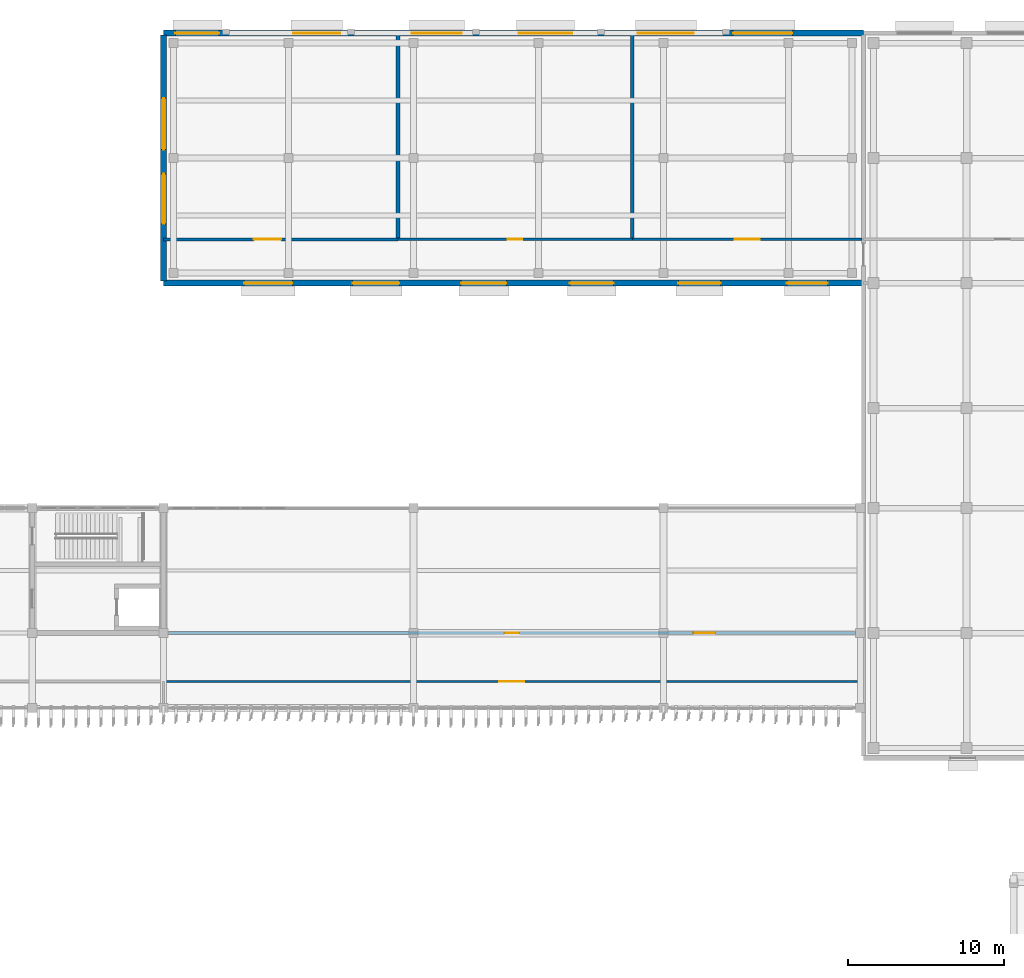
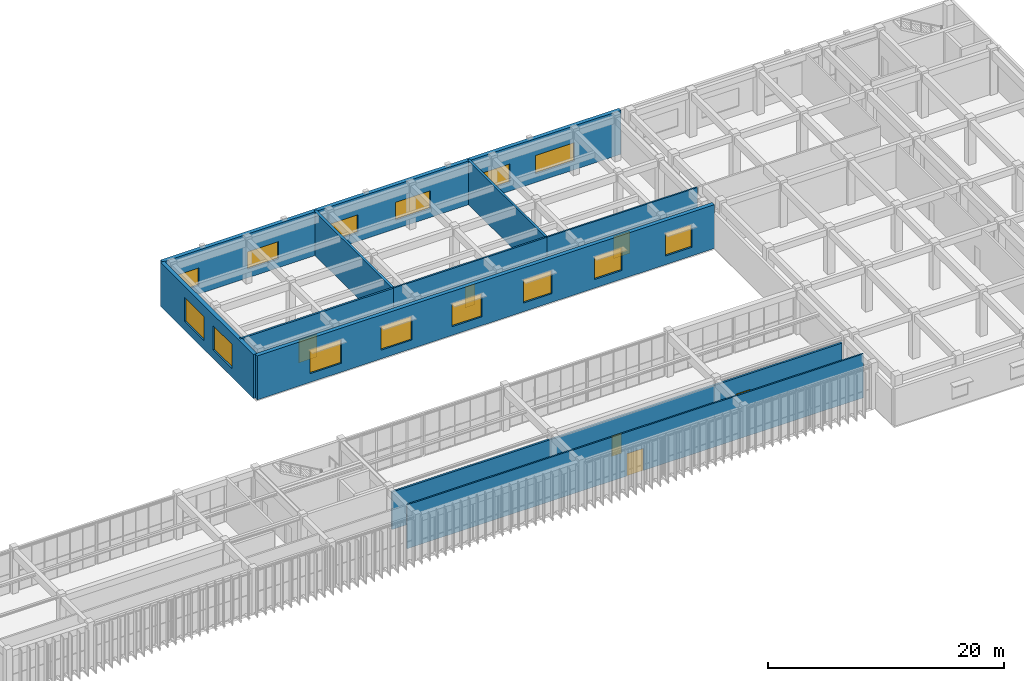
# One storey, part 42 of 64: 14 windows, 10 walls, 6 doors, 20 openings.
"""IFC4 building model written with IfcOpenShell, lengths in metres."""

from ifc_helpers import new_model, si_unit, direction, frame, frame_2d, origin, place, context, subcontext, project, spatial, rectangle, extrude, material, layer, layer_set, type_object, element, fill, save


model = new_model("IFC4")

# Units and contexts
model_context = context("Model", 3, precision=1e-05, world=origin(), true_north=direction((0.0, 1.0)))
body_context = subcontext(model_context, "Body", "Model", "MODEL_VIEW")
ifc_project = project(units=[si_unit("LENGTHUNIT", "METRE"), si_unit("AREAUNIT", "SQUARE_METRE"), si_unit("VOLUMEUNIT", "CUBIC_METRE"), si_unit("PLANEANGLEUNIT", "RADIAN"), si_unit("MASSUNIT", "GRAM", prefix="KILO")], contexts=[model_context])

# Site, building, storey
site_placement = place(None, origin())
site = spatial("IfcSite", under=ifc_project, at=site_placement, CompositionType="ELEMENT")
building_placement = place(site_placement, origin())
building = spatial("IfcBuilding", under=site, at=building_placement, Name="Cinchona Park Media Centre", CompositionType="ELEMENT")
storey_placement = place(building_placement, frame((0.0, 0.0, 5.39990234375)))
storey = spatial("IfcBuildingStorey", under=building, at=storey_placement, Name="L01", CompositionType="ELEMENT", Elevation=5.39990234375)

# Walls
ifc_material_1 = material(Name="Acoustic Double-Stud Gypsum Partition", Category="gypsum")
ifc_layer_1 = layer(ifc_material_1, 0.2099609375)
ifc_layer_set_1 = layer_set([ifc_layer_1], Name="Acoustic Double-Stud Gypsum Partition")
wall_type_1 = type_object("IfcWallType", Name="WALL-W-AC210", PredefinedType="PARTITIONING", material=ifc_layer_set_1)
wall_1_placement = place(storey_placement, frame((124.800048828125, 118.0, 0.0), z_axis=(0.0, 0.0, 1.0), x_axis=(0.0, -1.0, 0.0)))
element("IfcWall", 1, at=wall_1_placement, inside=storey, type_object=wall_type_1, Name="Interior Wall W-AC210 L01", PredefinedType="PARTITIONING", context=body_context, shape_type="SweptSolid", body=[
    extrude(rectangle(XDim=13.199951171875, YDim=0.2099609375, at=frame_2d((6.60009765625, 0.0))), origin(), (0.0, 0.0, 1.0), 4.5400390625),
])
ifc_material_2 = material(Name="Acoustic Double-Stud Gypsum Partition", Category="gypsum")
ifc_layer_2 = layer(ifc_material_2, 0.239990234375)
ifc_layer_set_2 = layer_set([ifc_layer_2], Name="Acoustic Double-Stud Gypsum Partition")
wall_type_2 = type_object("IfcWallType", Name="WALL-W-AC240", PredefinedType="PARTITIONING", material=ifc_layer_set_2)
wall_2_placement = place(storey_placement, frame((109.800048828125, 118.0, 0.0), z_axis=(0.0, 0.0, 1.0), x_axis=(0.0, -1.0, 0.0)))
element("IfcWall", 2, at=wall_2_placement, inside=storey, type_object=wall_type_2, Name="Interior Wall W-AC240 L01", PredefinedType="PARTITIONING", context=body_context, shape_type="SweptSolid", body=[
    extrude(rectangle(XDim=13.199951171875, YDim=0.239990234375, at=frame_2d((6.60009765625, 0.0))), origin(), (0.0, 0.0, 1.0), 4.5400390625),
])

# Wall, openings, windows
ifc_material_3 = material(Name="Precast concrete C40/50", Category="concrete")
ifc_layer_3 = layer(ifc_material_3, 0.3798828125)
ifc_layer_set_3 = layer_set([ifc_layer_3], Name="Precast concrete C40/50")
wall_type_3 = type_object("IfcWallType", Name="WALL-W-EX01", PredefinedType="SOLIDWALL", material=ifc_layer_set_3)
wall_3_placement = place(storey_placement, frame((94.800048828125, 118.0, 0.0), z_axis=(0.0, 0.0, 1.0), x_axis=(1.0, 0.0, 0.0)))
wall_3 = element("IfcWall", 3, at=wall_3_placement, inside=storey, type_object=wall_type_3, Name="Exterior Wall W-EX01 V3 L01", PredefinedType="SOLIDWALL", context=body_context, shape_type="SweptSolid", body=[
    extrude(rectangle(XDim=44.794921875, YDim=0.3798828125, at=frame_2d((22.3974609375, 0.0))), origin(), (0.0, 0.0, 1.0), 4.5400390625),
])
opening_1_placement = place(wall_3_placement, frame((0.75, 0.0, 0.89990234375)))
opening_1 = element("IfcOpeningElement", 4, at=opening_1_placement, cuts=wall_3, Name="Opening WN31", PredefinedType="OPENING", context=body_context, shape_type="SweptSolid", body=[
    extrude(rectangle(XDim=2.800048828125, YDim=1.800048828125, at=frame_2d((1.39990234375, 0.89990234375))), frame((0.0, 0.199951171875, 0.0), z_axis=(0.0, -1.0, 0.0), x_axis=(1.0, 0.0, 0.0)), (0.0, 0.0, 1.0), 0.39990234375),
])
opening_2_placement = place(wall_3_placement, frame((8.300048828125, 0.0, 0.89990234375)))
opening_2 = element("IfcOpeningElement", 5, at=opening_2_placement, cuts=wall_3, Name="Opening WN32", PredefinedType="OPENING", context=body_context, shape_type="SweptSolid", body=[
    extrude(rectangle(XDim=3.0, YDim=1.800048828125, at=frame_2d((1.5, 0.89990234375))), frame((0.0, 0.199951171875, 0.0), z_axis=(0.0, -1.0, 0.0), x_axis=(1.0, 0.0, 0.0)), (0.0, 0.0, 1.0), 0.39990234375),
])
opening_3_placement = place(wall_3_placement, frame((15.89990234375, 0.0, 0.89990234375)))
opening_3 = element("IfcOpeningElement", 6, at=opening_3_placement, cuts=wall_3, Name="Opening WN33", PredefinedType="OPENING", context=body_context, shape_type="SweptSolid", body=[
    extrude(rectangle(XDim=3.199951171875, YDim=1.85009765625, at=frame_2d((1.60009765625, 0.925048828125))), frame((0.0, 0.199951171875, 0.0), z_axis=(0.0, -1.0, 0.0), x_axis=(1.0, 0.0, 0.0)), (0.0, 0.0, 1.0), 0.39990234375),
])
opening_4_placement = place(wall_3_placement, frame((22.75, 0.0, 0.89990234375)))
opening_4 = element("IfcOpeningElement", 7, at=opening_4_placement, cuts=wall_3, Name="Opening WN34", PredefinedType="OPENING", context=body_context, shape_type="SweptSolid", body=[
    extrude(rectangle(XDim=3.39990234375, YDim=1.85009765625, at=frame_2d((1.699951171875, 0.925048828125))), frame((0.0, 0.199951171875, 0.0), z_axis=(0.0, -1.0, 0.0), x_axis=(1.0, 0.0, 0.0)), (0.0, 0.0, 1.0), 0.39990234375),
])
opening_5_placement = place(wall_3_placement, frame((30.35009765625, 0.0, 0.89990234375)))
opening_5 = element("IfcOpeningElement", 8, at=opening_5_placement, cuts=wall_3, Name="Opening WN35", PredefinedType="OPENING", context=body_context, shape_type="SweptSolid", body=[
    extrude(rectangle(XDim=3.60009765625, YDim=1.89990234375, at=frame_2d((1.800048828125, 0.949951171875))), frame((0.0, 0.199951171875, 0.0), z_axis=(0.0, -1.0, 0.0), x_axis=(1.0, 0.0, 0.0)), (0.0, 0.0, 1.0), 0.39990234375),
])
opening_6_placement = place(wall_3_placement, frame((36.449951171875, 0.0, 0.89990234375)))
opening_6 = element("IfcOpeningElement", 9, at=opening_6_placement, cuts=wall_3, Name="Opening WN36", PredefinedType="OPENING", context=body_context, shape_type="SweptSolid", body=[
    extrude(rectangle(XDim=3.800048828125, YDim=1.89990234375, at=frame_2d((1.89990234375, 0.949951171875))), frame((0.0, 0.199951171875, 0.0), z_axis=(0.0, -1.0, 0.0), x_axis=(1.0, 0.0, 0.0)), (0.0, 0.0, 1.0), 0.39990234375),
])
ifc_material_4 = material(Name="Thermally Broken Aluminium Solar-Control Window", Category="aluminium")
window_type_1 = type_object("IfcWindowType", Name="WIN-WN31", PartitioningType="SINGLE_PANEL", PredefinedType="WINDOW", material=ifc_material_4)
window_1_placement = place(opening_1_placement, origin())
window_1 = element("IfcWindow", 10, at=window_1_placement, inside=storey, type_object=window_type_1, Name="Window WN31 L01", OverallHeight=1.800048828125, OverallWidth=2.800048828125, PartitioningType="SINGLE_PANEL", PredefinedType="WINDOW", context=body_context, shape_type="SweptSolid", body=[
    extrude(rectangle(XDim=2.800048828125, YDim=1.800048828125, at=frame_2d((1.39990234375, 0.89990234375))), frame((0.0, 0.030029296875, 0.0), z_axis=(0.0, -1.0, 0.0), x_axis=(1.0, 0.0, 0.0)), (0.0, 0.0, 1.0), 0.06005859375),
])
fill(opening_1, window_1)
ifc_material_5 = material(Name="Thermally Broken Aluminium Solar-Control Window", Category="aluminium")
window_type_2 = type_object("IfcWindowType", Name="WIN-WN32", PartitioningType="SINGLE_PANEL", PredefinedType="WINDOW", material=ifc_material_5)
window_2_placement = place(opening_2_placement, origin())
window_2 = element("IfcWindow", 11, at=window_2_placement, inside=storey, type_object=window_type_2, Name="Window WN32 L01", OverallHeight=1.800048828125, OverallWidth=3.0, PartitioningType="SINGLE_PANEL", PredefinedType="WINDOW", context=body_context, shape_type="SweptSolid", body=[
    extrude(rectangle(XDim=3.0, YDim=1.800048828125, at=frame_2d((1.5, 0.89990234375))), frame((0.0, 0.030029296875, 0.0), z_axis=(0.0, -1.0, 0.0), x_axis=(1.0, 0.0, 0.0)), (0.0, 0.0, 1.0), 0.06005859375),
])
fill(opening_2, window_2)
ifc_material_6 = material(Name="Thermally Broken Aluminium Solar-Control Window", Category="aluminium")
window_type_3 = type_object("IfcWindowType", Name="WIN-WN33", PartitioningType="SINGLE_PANEL", PredefinedType="WINDOW", material=ifc_material_6)
window_3_placement = place(opening_3_placement, origin())
window_3 = element("IfcWindow", 12, at=window_3_placement, inside=storey, type_object=window_type_3, Name="Window WN33 L01", OverallHeight=1.85009765625, OverallWidth=3.199951171875, PartitioningType="SINGLE_PANEL", PredefinedType="WINDOW", context=body_context, shape_type="SweptSolid", body=[
    extrude(rectangle(XDim=3.199951171875, YDim=1.85009765625, at=frame_2d((1.60009765625, 0.925048828125))), frame((0.0, 0.030029296875, 0.0), z_axis=(0.0, -1.0, 0.0), x_axis=(1.0, 0.0, 0.0)), (0.0, 0.0, 1.0), 0.06005859375),
])
fill(opening_3, window_3)
ifc_material_7 = material(Name="Thermally Broken Aluminium Solar-Control Window", Category="aluminium")
window_type_4 = type_object("IfcWindowType", Name="WIN-WN34", PartitioningType="SINGLE_PANEL", PredefinedType="WINDOW", material=ifc_material_7)
window_4_placement = place(opening_4_placement, origin())
window_4 = element("IfcWindow", 13, at=window_4_placement, inside=storey, type_object=window_type_4, Name="Window WN34 L01", OverallHeight=1.85009765625, OverallWidth=3.39990234375, PartitioningType="SINGLE_PANEL", PredefinedType="WINDOW", context=body_context, shape_type="SweptSolid", body=[
    extrude(rectangle(XDim=3.39990234375, YDim=1.85009765625, at=frame_2d((1.699951171875, 0.925048828125))), frame((0.0, 0.030029296875, 0.0), z_axis=(0.0, -1.0, 0.0), x_axis=(1.0, 0.0, 0.0)), (0.0, 0.0, 1.0), 0.06005859375),
])
fill(opening_4, window_4)
ifc_material_8 = material(Name="Thermally Broken Aluminium Solar-Control Window", Category="aluminium")
window_type_5 = type_object("IfcWindowType", Name="WIN-WN35", PartitioningType="SINGLE_PANEL", PredefinedType="WINDOW", material=ifc_material_8)
window_5_placement = place(opening_5_placement, origin())
window_5 = element("IfcWindow", 14, at=window_5_placement, inside=storey, type_object=window_type_5, Name="Window WN35 L01", OverallHeight=1.89990234375, OverallWidth=3.60009765625, PartitioningType="SINGLE_PANEL", PredefinedType="WINDOW", context=body_context, shape_type="SweptSolid", body=[
    extrude(rectangle(XDim=3.60009765625, YDim=1.89990234375, at=frame_2d((1.800048828125, 0.949951171875))), frame((0.0, 0.030029296875, 0.0), z_axis=(0.0, -1.0, 0.0), x_axis=(1.0, 0.0, 0.0)), (0.0, 0.0, 1.0), 0.06005859375),
])
fill(opening_5, window_5)
ifc_material_9 = material(Name="Thermally Broken Aluminium Solar-Control Window", Category="aluminium")
window_type_6 = type_object("IfcWindowType", Name="WIN-WN36", PartitioningType="SINGLE_PANEL", PredefinedType="WINDOW", material=ifc_material_9)
window_6_placement = place(opening_6_placement, origin())
window_6 = element("IfcWindow", 15, at=window_6_placement, inside=storey, type_object=window_type_6, Name="Window WN36 L01", OverallHeight=1.89990234375, OverallWidth=3.800048828125, PartitioningType="SINGLE_PANEL", PredefinedType="WINDOW", context=body_context, shape_type="SweptSolid", body=[
    extrude(rectangle(XDim=3.800048828125, YDim=1.89990234375, at=frame_2d((1.89990234375, 0.949951171875))), frame((0.0, 0.030029296875, 0.0), z_axis=(0.0, -1.0, 0.0), x_axis=(1.0, 0.0, 0.0)), (0.0, 0.0, 1.0), 0.06005859375),
])
fill(opening_6, window_6)

wall_4_placement = place(storey_placement, frame((139.5, 102.0, 0.0), z_axis=(0.0, 0.0, 1.0), x_axis=(-1.0, 0.0, 0.0)))
wall_4 = element("IfcWall", 16, at=wall_4_placement, inside=storey, type_object=wall_type_3, Name="Exterior Wall W-EX01 V3 L01", PredefinedType="SOLIDWALL", context=body_context, shape_type="SweptSolid", body=[
    extrude(rectangle(XDim=44.699951171875, YDim=0.3798828125, at=frame_2d((22.35009765625, 0.0))), origin(), (0.0, 0.0, 1.0), 4.5400390625),
])
opening_7_placement = place(wall_4_placement, frame((2.199951171875, 0.0, 0.89990234375)))
opening_7 = element("IfcOpeningElement", 17, at=opening_7_placement, cuts=wall_4, Name="Opening WN13", PredefinedType="OPENING", context=body_context, shape_type="SweptSolid", body=[
    extrude(rectangle(XDim=2.60009765625, YDim=2.35009765625, at=frame_2d((1.300048828125, 1.175048828125))), frame((0.0, 0.199951171875, 0.0), z_axis=(0.0, -1.0, 0.0), x_axis=(1.0, 0.0, 0.0)), (0.0, 0.0, 1.0), 0.39990234375),
])
opening_8_placement = place(wall_4_placement, frame((9.050048828125, 0.0, 0.89990234375)))
opening_8 = element("IfcOpeningElement", 18, at=opening_8_placement, cuts=wall_4, Name="Opening WN14", PredefinedType="OPENING", context=body_context, shape_type="SweptSolid", body=[
    extrude(rectangle(XDim=2.699951171875, YDim=2.35009765625, at=frame_2d((1.35009765625, 1.175048828125))), frame((0.0, 0.199951171875, 0.0), z_axis=(0.0, -1.0, 0.0), x_axis=(1.0, 0.0, 0.0)), (0.0, 0.0, 1.0), 0.39990234375),
])
opening_9_placement = place(wall_4_placement, frame((15.89990234375, 0.0, 0.89990234375)))
opening_9 = element("IfcOpeningElement", 19, at=opening_9_placement, cuts=wall_4, Name="Opening WN15", PredefinedType="OPENING", context=body_context, shape_type="SweptSolid", body=[
    extrude(rectangle(XDim=2.800048828125, YDim=2.39990234375, at=frame_2d((1.39990234375, 1.199951171875))), frame((0.0, 0.199951171875, 0.0), z_axis=(0.0, -1.0, 0.0), x_axis=(1.0, 0.0, 0.0)), (0.0, 0.0, 1.0), 0.39990234375),
])
opening_10_placement = place(wall_4_placement, frame((22.75, 0.0, 0.89990234375)))
opening_10 = element("IfcOpeningElement", 20, at=opening_10_placement, cuts=wall_4, Name="Opening WN16", PredefinedType="OPENING", context=body_context, shape_type="SweptSolid", body=[
    extrude(rectangle(XDim=2.89990234375, YDim=2.39990234375, at=frame_2d((1.449951171875, 1.199951171875))), frame((0.0, 0.199951171875, 0.0), z_axis=(0.0, -1.0, 0.0), x_axis=(1.0, 0.0, 0.0)), (0.0, 0.0, 1.0), 0.39990234375),
])
opening_11_placement = place(wall_4_placement, frame((29.60009765625, 0.0, 0.89990234375)))
opening_11 = element("IfcOpeningElement", 21, at=opening_11_placement, cuts=wall_4, Name="Opening WN17", PredefinedType="OPENING", context=body_context, shape_type="SweptSolid", body=[
    extrude(rectangle(XDim=3.0, YDim=2.449951171875, at=frame_2d((1.5, 1.22509765625))), frame((0.0, 0.199951171875, 0.0), z_axis=(0.0, -1.0, 0.0), x_axis=(1.0, 0.0, 0.0)), (0.0, 0.0, 1.0), 0.39990234375),
])
opening_12_placement = place(wall_4_placement, frame((36.449951171875, 0.0, 0.89990234375)))
opening_12 = element("IfcOpeningElement", 22, at=opening_12_placement, cuts=wall_4, Name="Opening WN18", PredefinedType="OPENING", context=body_context, shape_type="SweptSolid", body=[
    extrude(rectangle(XDim=3.10009765625, YDim=2.449951171875, at=frame_2d((1.550048828125, 1.22509765625))), frame((0.0, 0.199951171875, 0.0), z_axis=(0.0, -1.0, 0.0), x_axis=(1.0, 0.0, 0.0)), (0.0, 0.0, 1.0), 0.39990234375),
])
ifc_material_10 = material(Name="Thermally Broken Aluminium Solar-Control Window", Category="aluminium")
window_type_7 = type_object("IfcWindowType", Name="WIN-WN13", PartitioningType="SINGLE_PANEL", PredefinedType="WINDOW", material=ifc_material_10)
window_7_placement = place(opening_7_placement, origin())
window_7 = element("IfcWindow", 23, at=window_7_placement, inside=storey, type_object=window_type_7, Name="Window WN13 L01", OverallHeight=2.35009765625, OverallWidth=2.60009765625, PartitioningType="SINGLE_PANEL", PredefinedType="WINDOW", context=body_context, shape_type="SweptSolid", body=[
    extrude(rectangle(XDim=2.60009765625, YDim=2.35009765625, at=frame_2d((1.300048828125, 1.175048828125))), frame((0.0, 0.030029296875, 0.0), z_axis=(0.0, -1.0, 0.0), x_axis=(1.0, 0.0, 0.0)), (0.0, 0.0, 1.0), 0.06005859375),
])
fill(opening_7, window_7)
ifc_material_11 = material(Name="Thermally Broken Aluminium Solar-Control Window", Category="aluminium")
window_type_8 = type_object("IfcWindowType", Name="WIN-WN14", PartitioningType="SINGLE_PANEL", PredefinedType="WINDOW", material=ifc_material_11)
window_8_placement = place(opening_8_placement, origin())
window_8 = element("IfcWindow", 24, at=window_8_placement, inside=storey, type_object=window_type_8, Name="Window WN14 L01", OverallHeight=2.35009765625, OverallWidth=2.699951171875, PartitioningType="SINGLE_PANEL", PredefinedType="WINDOW", context=body_context, shape_type="SweptSolid", body=[
    extrude(rectangle(XDim=2.699951171875, YDim=2.35009765625, at=frame_2d((1.35009765625, 1.175048828125))), frame((0.0, 0.030029296875, 0.0), z_axis=(0.0, -1.0, 0.0), x_axis=(1.0, 0.0, 0.0)), (0.0, 0.0, 1.0), 0.06005859375),
])
fill(opening_8, window_8)
ifc_material_12 = material(Name="Thermally Broken Aluminium Solar-Control Window", Category="aluminium")
window_type_9 = type_object("IfcWindowType", Name="WIN-WN15", PartitioningType="SINGLE_PANEL", PredefinedType="WINDOW", material=ifc_material_12)
window_9_placement = place(opening_9_placement, origin())
window_9 = element("IfcWindow", 25, at=window_9_placement, inside=storey, type_object=window_type_9, Name="Window WN15 L01", OverallHeight=2.39990234375, OverallWidth=2.800048828125, PartitioningType="SINGLE_PANEL", PredefinedType="WINDOW", context=body_context, shape_type="SweptSolid", body=[
    extrude(rectangle(XDim=2.800048828125, YDim=2.39990234375, at=frame_2d((1.39990234375, 1.199951171875))), frame((0.0, 0.030029296875, 0.0), z_axis=(0.0, -1.0, 0.0), x_axis=(1.0, 0.0, 0.0)), (0.0, 0.0, 1.0), 0.06005859375),
])
fill(opening_9, window_9)
ifc_material_13 = material(Name="Thermally Broken Aluminium Solar-Control Window", Category="aluminium")
window_type_10 = type_object("IfcWindowType", Name="WIN-WN16", PartitioningType="SINGLE_PANEL", PredefinedType="WINDOW", material=ifc_material_13)
window_10_placement = place(opening_10_placement, origin())
window_10 = element("IfcWindow", 26, at=window_10_placement, inside=storey, type_object=window_type_10, Name="Window WN16 L01", OverallHeight=2.39990234375, OverallWidth=2.89990234375, PartitioningType="SINGLE_PANEL", PredefinedType="WINDOW", context=body_context, shape_type="SweptSolid", body=[
    extrude(rectangle(XDim=2.89990234375, YDim=2.39990234375, at=frame_2d((1.449951171875, 1.199951171875))), frame((0.0, 0.030029296875, 0.0), z_axis=(0.0, -1.0, 0.0), x_axis=(1.0, 0.0, 0.0)), (0.0, 0.0, 1.0), 0.06005859375),
])
fill(opening_10, window_10)
ifc_material_14 = material(Name="Thermally Broken Aluminium Solar-Control Window", Category="aluminium")
window_type_11 = type_object("IfcWindowType", Name="WIN-WN17", PartitioningType="SINGLE_PANEL", PredefinedType="WINDOW", material=ifc_material_14)
window_11_placement = place(opening_11_placement, origin())
window_11 = element("IfcWindow", 27, at=window_11_placement, inside=storey, type_object=window_type_11, Name="Window WN17 L01", OverallHeight=2.449951171875, OverallWidth=3.0, PartitioningType="SINGLE_PANEL", PredefinedType="WINDOW", context=body_context, shape_type="SweptSolid", body=[
    extrude(rectangle(XDim=3.0, YDim=2.449951171875, at=frame_2d((1.5, 1.22509765625))), frame((0.0, 0.030029296875, 0.0), z_axis=(0.0, -1.0, 0.0), x_axis=(1.0, 0.0, 0.0)), (0.0, 0.0, 1.0), 0.06005859375),
])
fill(opening_11, window_11)
ifc_material_15 = material(Name="Thermally Broken Aluminium Solar-Control Window", Category="aluminium")
window_type_12 = type_object("IfcWindowType", Name="WIN-WN18", PartitioningType="SINGLE_PANEL", PredefinedType="WINDOW", material=ifc_material_15)
window_12_placement = place(opening_12_placement, origin())
window_12 = element("IfcWindow", 28, at=window_12_placement, inside=storey, type_object=window_type_12, Name="Window WN18 L01", OverallHeight=2.449951171875, OverallWidth=3.10009765625, PartitioningType="SINGLE_PANEL", PredefinedType="WINDOW", context=body_context, shape_type="SweptSolid", body=[
    extrude(rectangle(XDim=3.10009765625, YDim=2.449951171875, at=frame_2d((1.550048828125, 1.22509765625))), frame((0.0, 0.030029296875, 0.0), z_axis=(0.0, -1.0, 0.0), x_axis=(1.0, 0.0, 0.0)), (0.0, 0.0, 1.0), 0.06005859375),
])
fill(opening_12, window_12)

wall_5_placement = place(storey_placement, frame((94.800048828125, 102.139892578125, 0.0), z_axis=(0.0, 0.0, 1.0), x_axis=(0.0, 1.0, 0.0)))
wall_5 = element("IfcWall", 29, at=wall_5_placement, inside=storey, type_object=wall_type_3, Name="Exterior Wall W-EX01 V3 L01", PredefinedType="SOLIDWALL", context=body_context, shape_type="SweptSolid", body=[
    extrude(rectangle(XDim=15.72021484375, YDim=0.3798828125, at=frame_2d((7.860107421875, 0.0))), origin(), (0.0, 0.0, 1.0), 4.5400390625),
])
opening_13_placement = place(wall_5_placement, frame((3.64990234375, 0.0, 0.89990234375)))
opening_13 = element("IfcOpeningElement", 30, at=opening_13_placement, cuts=wall_5, Name="Opening WN19", PredefinedType="OPENING", context=body_context, shape_type="SweptSolid", body=[
    extrude(rectangle(XDim=3.199951171875, YDim=2.5, at=frame_2d((1.60009765625, 1.25))), frame((0.0, 0.199951171875, 0.0), z_axis=(0.0, -1.0, 0.0), x_axis=(1.0, 0.0, 0.0)), (0.0, 0.0, 1.0), 0.39990234375),
])
opening_14_placement = place(wall_5_placement, frame((8.39990234375, 0.0, 0.89990234375)))
opening_14 = element("IfcOpeningElement", 31, at=opening_14_placement, cuts=wall_5, Name="Opening WN20", PredefinedType="OPENING", context=body_context, shape_type="SweptSolid", body=[
    extrude(rectangle(XDim=3.300048828125, YDim=2.5, at=frame_2d((1.64990234375, 1.25))), frame((0.0, 0.199951171875, 0.0), z_axis=(0.0, -1.0, 0.0), x_axis=(1.0, 0.0, 0.0)), (0.0, 0.0, 1.0), 0.39990234375),
])
ifc_material_16 = material(Name="Thermally Broken Aluminium Solar-Control Window", Category="aluminium")
window_type_13 = type_object("IfcWindowType", Name="WIN-WN19", PartitioningType="SINGLE_PANEL", PredefinedType="WINDOW", material=ifc_material_16)
window_13_placement = place(opening_13_placement, origin())
window_13 = element("IfcWindow", 32, at=window_13_placement, inside=storey, type_object=window_type_13, Name="Window WN19 L01", OverallHeight=2.5, OverallWidth=3.199951171875, PartitioningType="SINGLE_PANEL", PredefinedType="WINDOW", context=body_context, shape_type="SweptSolid", body=[
    extrude(rectangle(XDim=3.199951171875, YDim=2.5, at=frame_2d((1.60009765625, 1.25))), frame((0.0, 0.030029296875, 0.0), z_axis=(0.0, -1.0, 0.0), x_axis=(1.0, 0.0, 0.0)), (0.0, 0.0, 1.0), 0.06005859375),
])
fill(opening_13, window_13)
ifc_material_17 = material(Name="Thermally Broken Aluminium Solar-Control Window", Category="aluminium")
window_type_14 = type_object("IfcWindowType", Name="WIN-WN20", PartitioningType="SINGLE_PANEL", PredefinedType="WINDOW", material=ifc_material_17)
window_14_placement = place(opening_14_placement, origin())
window_14 = element("IfcWindow", 33, at=window_14_placement, inside=storey, type_object=window_type_14, Name="Window WN20 L01", OverallHeight=2.5, OverallWidth=3.300048828125, PartitioningType="SINGLE_PANEL", PredefinedType="WINDOW", context=body_context, shape_type="SweptSolid", body=[
    extrude(rectangle(XDim=3.300048828125, YDim=2.5, at=frame_2d((1.64990234375, 1.25))), frame((0.0, 0.030029296875, 0.0), z_axis=(0.0, -1.0, 0.0), x_axis=(1.0, 0.0, 0.0)), (0.0, 0.0, 1.0), 0.06005859375),
])
fill(opening_14, window_14)

# Wall, opening, door
ifc_material_18 = material(Name="Fire-Rated Gypsum Stud Partition", Category="gypsum")
ifc_layer_4 = layer(ifc_material_18, 0.14990234375)
ifc_layer_set_4 = layer_set([ifc_layer_4], Name="Fire-Rated Gypsum Stud Partition")
wall_type_4 = type_object("IfcWallType", Name="WALL-W-PT150", PredefinedType="PARTITIONING", material=ifc_layer_set_4)
wall_6_placement = place(storey_placement, frame((139.39990234375, 76.5, 0.0), z_axis=(0.0, 0.0, 1.0), x_axis=(-1.0, 0.0, 0.0)))
wall_6 = element("IfcWall", 34, at=wall_6_placement, inside=storey, type_object=wall_type_4, Name="Interior Wall W-PT150 L01", PredefinedType="PARTITIONING", context=body_context, shape_type="SweptSolid", body=[
    extrude(rectangle(XDim=44.599853515625, YDim=0.14990234375, at=frame_2d((22.2998046875, 0.0))), origin(), (0.0, 0.0, 1.0), 4.5400390625),
])
opening_15_placement = place(wall_6_placement, frame((21.5, 0.0, 0.0)))
opening_15 = element("IfcOpeningElement", 35, at=opening_15_placement, cuts=wall_6, Name="Opening D242", PredefinedType="OPENING", context=body_context, shape_type="SweptSolid", body=[
    extrude(rectangle(XDim=1.60009765625, YDim=2.300048828125, at=frame_2d((0.800048828125, 1.14990234375))), frame((0.0, 0.0849609375, 0.0), z_axis=(0.0, -1.0, 0.0), x_axis=(1.0, 0.0, 0.0)), (0.0, 0.0, 1.0), 0.169921875),
])
ifc_material_19 = material(Name="Solid-Core Timber Acoustic Door", Category="wood")
door_type_1 = type_object("IfcDoorType", Name="DOOR-DT17", OperationType="NOTDEFINED", PredefinedType="DOOR", material=ifc_material_19)
door_1_placement = place(opening_15_placement, origin())
door_1 = element("IfcDoor", 36, at=door_1_placement, inside=storey, type_object=door_type_1, Name="Interior Door D242", OperationType="SINGLE_SWING_RIGHT", OverallHeight=2.300048828125, OverallWidth=1.60009765625, PredefinedType="DOOR", context=body_context, shape_type="SweptSolid", body=[
    extrude(rectangle(XDim=1.60009765625, YDim=2.300048828125, at=frame_2d((0.800048828125, 1.14990234375))), frame((0.0, 0.02490234375, 0.0), z_axis=(0.0, -1.0, 0.0), x_axis=(1.0, 0.0, 0.0)), (0.0, 0.0, 1.0), 0.050048828125),
])
fill(opening_15, door_1)

wall_7_placement = place(storey_placement, frame((124.800048828125, 104.800048828125, 0.0), z_axis=(0.0, 0.0, 1.0), x_axis=(1.0, 0.0, 0.0)))
wall_7 = element("IfcWall", 37, at=wall_7_placement, inside=storey, type_object=wall_type_4, Name="Interior Wall W-PT150 L01", PredefinedType="PARTITIONING", context=body_context, shape_type="SweptSolid", body=[
    extrude(rectangle(XDim=14.699951171875, YDim=0.14990234375, at=frame_2d((7.35009765625, 0.0))), origin(), (0.0, 0.0, 1.0), 4.5400390625),
])
opening_16_placement = place(wall_7_placement, frame((6.550048828125, 0.0, 0.0)))
opening_16 = element("IfcOpeningElement", 38, at=opening_16_placement, cuts=wall_7, Name="Opening D253", PredefinedType="OPENING", context=body_context, shape_type="SweptSolid", body=[
    extrude(rectangle(XDim=1.60009765625, YDim=2.300048828125, at=frame_2d((0.800048828125, 1.14990234375))), frame((0.0, 0.0849609375, 0.0), z_axis=(0.0, -1.0, 0.0), x_axis=(1.0, 0.0, 0.0)), (0.0, 0.0, 1.0), 0.169921875),
])
door_2_placement = place(opening_16_placement, origin())
door_2 = element("IfcDoor", 39, at=door_2_placement, inside=storey, type_object=door_type_1, Name="Interior Door D253", OperationType="SINGLE_SWING_LEFT", OverallHeight=2.300048828125, OverallWidth=1.60009765625, PredefinedType="DOOR", context=body_context, shape_type="SweptSolid", body=[
    extrude(rectangle(XDim=1.60009765625, YDim=2.300048828125, at=frame_2d((0.800048828125, 1.14990234375))), frame((0.0, 0.02490234375, 0.0), z_axis=(0.0, -1.0, 0.0), x_axis=(1.0, 0.0, 0.0)), (0.0, 0.0, 1.0), 0.050048828125),
])
fill(opening_16, door_2)

ifc_material_20 = material(Name="Fire-Rated Gypsum Stud Partition", Category="gypsum")
ifc_layer_5 = layer(ifc_material_20, 0.1650390625)
ifc_layer_set_5 = layer_set([ifc_layer_5], Name="Fire-Rated Gypsum Stud Partition")
wall_type_5 = type_object("IfcWallType", Name="WALL-W-PT165", PredefinedType="PARTITIONING", material=ifc_layer_set_5)
wall_8_placement = place(storey_placement, frame((109.800048828125, 104.800048828125, 0.0), z_axis=(0.0, 0.0, 1.0), x_axis=(1.0, 0.0, 0.0)))
wall_8 = element("IfcWall", 40, at=wall_8_placement, inside=storey, type_object=wall_type_5, Name="Interior Wall W-PT165 L01", PredefinedType="PARTITIONING", context=body_context, shape_type="SweptSolid", body=[
    extrude(rectangle(XDim=15.0, YDim=0.1650390625, at=frame_2d((7.5, 0.0))), origin(), (0.0, 0.0, 1.0), 4.5400390625),
])
opening_17_placement = place(wall_8_placement, frame((7.030029296875, 0.0, 0.0)))
opening_17 = element("IfcOpeningElement", 41, at=opening_17_placement, cuts=wall_8, Name="Opening D252", PredefinedType="OPENING", context=body_context, shape_type="SweptSolid", body=[
    extrude(rectangle(XDim=0.93994140625, YDim=2.14990234375, at=frame_2d((0.469970703125, 1.074951171875))), frame((0.0, 0.092529296875, 0.0), z_axis=(0.0, -1.0, 0.0), x_axis=(1.0, 0.0, 0.0)), (0.0, 0.0, 1.0), 0.18505859375),
])
ifc_material_21 = material(Name="Fire-Rated Acoustic Timber-Steel Door", Category="steel")
door_type_2 = type_object("IfcDoorType", Name="DOOR-DT24", OperationType="NOTDEFINED", PredefinedType="DOOR", material=ifc_material_21)
door_3_placement = place(opening_17_placement, origin())
door_3 = element("IfcDoor", 42, at=door_3_placement, inside=storey, type_object=door_type_2, Name="Interior Door D252", OperationType="SINGLE_SWING_RIGHT", OverallHeight=2.14990234375, OverallWidth=0.93994140625, PredefinedType="DOOR", context=body_context, shape_type="SweptSolid", body=[
    extrude(rectangle(XDim=0.93994140625, YDim=2.14990234375, at=frame_2d((0.469970703125, 1.074951171875))), frame((0.0, 0.02490234375, 0.0), z_axis=(0.0, -1.0, 0.0), x_axis=(1.0, 0.0, 0.0)), (0.0, 0.0, 1.0), 0.050048828125),
])
fill(opening_17, door_3)

# Wall, openings, doors
ifc_material_22 = material(Name="Fire-Rated Gypsum Stud Partition", Category="gypsum")
ifc_layer_6 = layer(ifc_material_22, 0.18994140625)
ifc_layer_set_6 = layer_set([ifc_layer_6], Name="Fire-Rated Gypsum Stud Partition")
wall_type_6 = type_object("IfcWallType", Name="WALL-W-PT190", PredefinedType="PARTITIONING", material=ifc_layer_set_6)
wall_9_placement = place(storey_placement, frame((95.10205078125, 79.60009765625, 0.0), z_axis=(0.0, 0.0, 1.0), x_axis=(1.0, 0.0, 0.0)))
wall_9 = element("IfcWall", 43, at=wall_9_placement, inside=storey, type_object=wall_type_6, Name="Interior Wall W-PT190 L01", PredefinedType="PARTITIONING", context=body_context, shape_type="SweptSolid", body=[
    extrude(rectangle(XDim=43.995849609375, YDim=0.18994140625, at=frame_2d((21.998046875, 0.0))), origin(), (0.0, 0.0, 1.0), 3.89013671875),
])
opening_18_placement = place(wall_9_placement, frame((21.52294921875, 0.0, 0.0)))
opening_18 = element("IfcOpeningElement", 44, at=opening_18_placement, cuts=wall_9, Name="Opening D244", PredefinedType="OPENING", context=body_context, shape_type="SweptSolid", body=[
    extrude(rectangle(XDim=0.949951171875, YDim=2.10009765625, at=frame_2d((0.47509765625, 1.050048828125))), frame((0.0, 0.10498046875, 0.0), z_axis=(0.0, -1.0, 0.0), x_axis=(1.0, 0.0, 0.0)), (0.0, 0.0, 1.0), 0.2099609375),
])
opening_19_placement = place(wall_9_placement, frame((33.616943359375, 0.0, 0.0)))
opening_19 = element("IfcOpeningElement", 45, at=opening_19_placement, cuts=wall_9, Name="Opening D245", PredefinedType="OPENING", context=body_context, shape_type="SweptSolid", body=[
    extrude(rectangle(XDim=1.39990234375, YDim=2.25, at=frame_2d((0.699951171875, 1.125))), frame((0.0, 0.10498046875, 0.0), z_axis=(0.0, -1.0, 0.0), x_axis=(1.0, 0.0, 0.0)), (0.0, 0.0, 1.0), 0.2099609375),
])
ifc_material_23 = material(Name="Acoustic Double-Seal Steel Door", Category="steel")
door_type_3 = type_object("IfcDoorType", Name="DOOR-DT-AC", OperationType="NOTDEFINED", PredefinedType="DOOR", material=ifc_material_23)
door_4_placement = place(opening_19_placement, origin())
door_4 = element("IfcDoor", 46, at=door_4_placement, inside=storey, type_object=door_type_3, Name="Interior Door D245", OperationType="SINGLE_SWING_LEFT", OverallHeight=2.25, OverallWidth=1.39990234375, PredefinedType="DOOR", context=body_context, shape_type="SweptSolid", body=[
    extrude(rectangle(XDim=1.39990234375, YDim=2.25, at=frame_2d((0.699951171875, 1.125))), frame((0.0, 0.02490234375, 0.0), z_axis=(0.0, -1.0, 0.0), x_axis=(1.0, 0.0, 0.0)), (0.0, 0.0, 1.0), 0.050048828125),
])
fill(opening_19, door_4)
ifc_material_24 = material(Name="Solid-Core Timber Acoustic Door", Category="wood")
door_type_4 = type_object("IfcDoorType", Name="DOOR-DT02", OperationType="NOTDEFINED", PredefinedType="DOOR", material=ifc_material_24)
door_5_placement = place(opening_18_placement, origin())
door_5 = element("IfcDoor", 47, at=door_5_placement, inside=storey, type_object=door_type_4, Name="Interior Door D244", OperationType="SINGLE_SWING_RIGHT", OverallHeight=2.10009765625, OverallWidth=0.949951171875, PredefinedType="DOOR", context=body_context, shape_type="SweptSolid", body=[
    extrude(rectangle(XDim=0.949951171875, YDim=2.10009765625, at=frame_2d((0.47509765625, 1.050048828125))), frame((0.0, 0.02490234375, 0.0), z_axis=(0.0, -1.0, 0.0), x_axis=(1.0, 0.0, 0.0)), (0.0, 0.0, 1.0), 0.050048828125),
])
fill(opening_18, door_5)

# Wall, opening, door
wall_10_placement = place(storey_placement, frame((94.800048828125, 104.800048828125, 0.0), z_axis=(0.0, 0.0, 1.0), x_axis=(1.0, 0.0, 0.0)))
wall_10 = element("IfcWall", 48, at=wall_10_placement, inside=storey, type_object=wall_type_6, Name="Interior Wall W-PT190 L01", PredefinedType="PARTITIONING", context=body_context, shape_type="SweptSolid", body=[
    extrude(rectangle(XDim=15.0, YDim=0.18994140625, at=frame_2d((7.5, 0.0))), origin(), (0.0, 0.0, 1.0), 4.5400390625),
])
opening_20_placement = place(wall_10_placement, frame((5.780029296875, 0.0, 0.0)))
opening_20 = element("IfcOpeningElement", 49, at=opening_20_placement, cuts=wall_10, Name="Opening D251", PredefinedType="OPENING", context=body_context, shape_type="SweptSolid", body=[
    extrude(rectangle(XDim=1.75, YDim=2.35009765625, at=frame_2d((0.875, 1.175048828125))), frame((0.0, 0.10498046875, 0.0), z_axis=(0.0, -1.0, 0.0), x_axis=(1.0, 0.0, 0.0)), (0.0, 0.0, 1.0), 0.2099609375),
])
ifc_material_25 = material(Name="Fire-Rated Acoustic Timber-Steel Door", Category="steel")
door_type_5 = type_object("IfcDoorType", Name="DOOR-DT20", OperationType="NOTDEFINED", PredefinedType="DOOR", material=ifc_material_25)
door_6_placement = place(opening_20_placement, origin())
door_6 = element("IfcDoor", 50, at=door_6_placement, inside=storey, type_object=door_type_5, Name="Interior Door D251", OperationType="SINGLE_SWING_LEFT", OverallHeight=2.35009765625, OverallWidth=1.75, PredefinedType="DOOR", context=body_context, shape_type="SweptSolid", body=[
    extrude(rectangle(XDim=1.75, YDim=2.35009765625, at=frame_2d((0.875, 1.175048828125))), frame((0.0, 0.02490234375, 0.0), z_axis=(0.0, -1.0, 0.0), x_axis=(1.0, 0.0, 0.0)), (0.0, 0.0, 1.0), 0.050048828125),
])
fill(opening_20, door_6)

save(model, "model.ifc")
